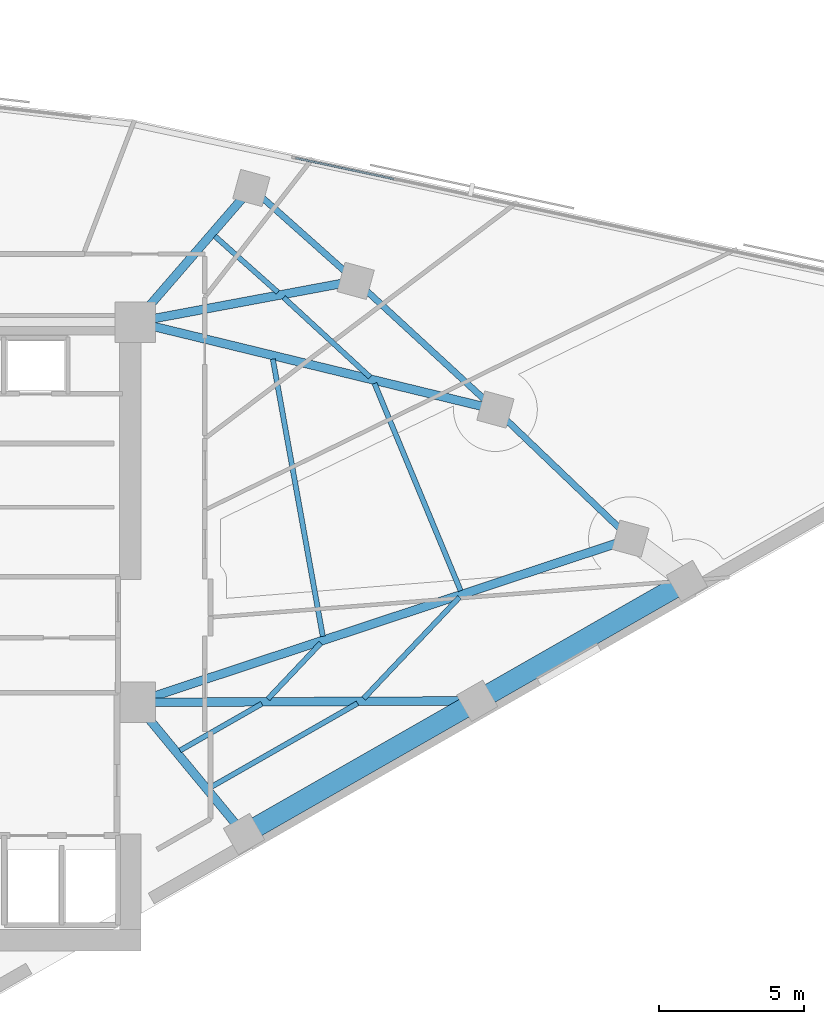
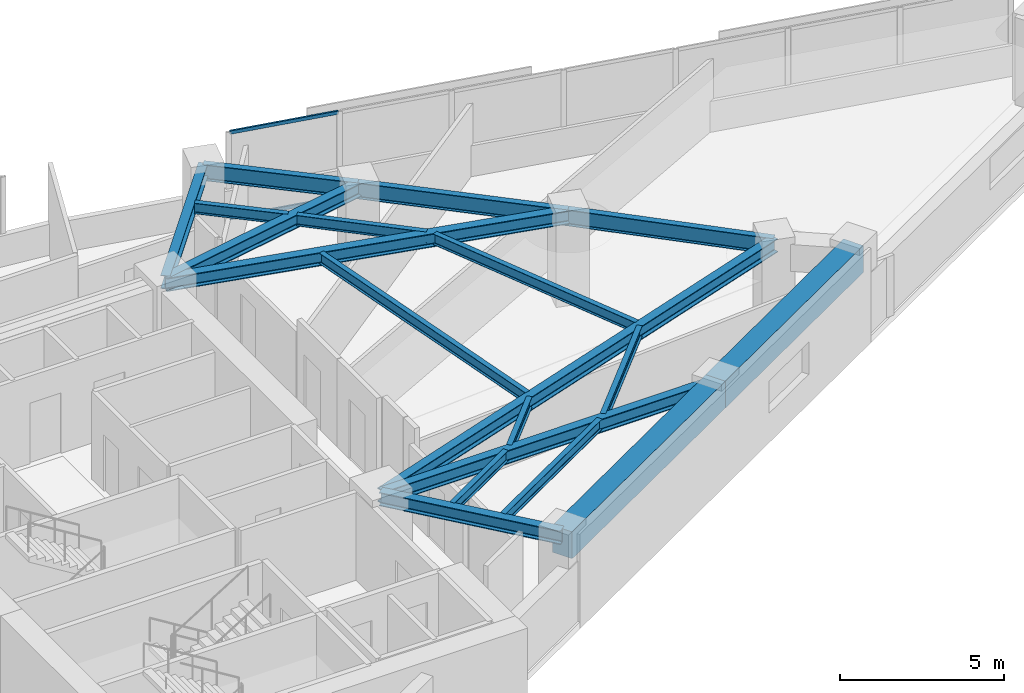
# One storey, part 3 of 14: 19 beams, 2 members, 1 element without a shape of its own.
"""IFC4 building model written with IfcOpenShell, lengths in metres."""

import ifcopenshell
import ifcopenshell.guid

model = None  # the IFC model being written
_history = None  # IfcOwnerHistory: only IFC2X3 demands one
_inside = {}  # id of a spatial element -> (the spatial element, [elements in it])
_under = {}  # id of a project, library or spatial element -> (it, [spatial elements below it])
_declared = {}  # id of a project -> (the project, [libraries it declares])
_typed = {}  # id of a type object -> (the type object, [elements of that type])
_made_of = {}  # id of a material, layer set ... -> (it, [elements and type objects made of it])


def new_model(schema):
    """Start an empty IFC model of exactly this schema.

    Asked for "IFC4X3", IfcOpenShell would pick the latest addendum, in which some entities
    have other attributes; the version numbers below select the first issue.
    IFC2X3 requires an IfcOwnerHistory on every rooted entity: one is made here for all.
    """
    global model, _history
    if schema == "IFC4X3":
        model = ifcopenshell.file(schema_version=(4, 3, 0, 0))
    else:
        model = ifcopenshell.file(schema=schema)
    _inside.clear()
    _under.clear()
    _declared.clear()
    _typed.clear()
    _made_of.clear()
    _history = None
    if model.schema == "IFC2X3":
        org = make("IfcOrganization", Name="unknown")
        user = make(
            "IfcPersonAndOrganization",
            ThePerson=make("IfcPerson", FamilyName="unknown"),
            TheOrganization=org,
        )
        app = make(
            "IfcApplication",
            ApplicationDeveloper=org,
            Version="unknown",
            ApplicationFullName="unknown",
            ApplicationIdentifier="unknown",
        )
        _history = make(
            "IfcOwnerHistory",
            OwningUser=user,
            OwningApplication=app,
            ChangeAction="ADDED",
            CreationDate=0,
        )
    return model


def make(cls, **values):
    """One entity of the class cls with the attributes given. An attribute that is None is left unset."""
    return model.create_entity(
        cls, **{name: value for name, value in values.items() if value is not None}
    )


def rooted(cls, **values):
    """An entity with a GlobalId (a new one), such as an element, a storey or a relation."""
    return make(cls, GlobalId=ifcopenshell.guid.new(), OwnerHistory=_history, **values)


def si_unit(unit_type, name, prefix=None):
    """IfcSIUnit, for example si_unit("LENGTHUNIT", "METRE", prefix="MILLI")."""
    return make("IfcSIUnit", UnitType=unit_type, Prefix=prefix, Name=name)


def assignment(units):
    """IfcUnitAssignment: the units of a project."""
    return None if units is None else make("IfcUnitAssignment", Units=units)


def point(xyz):
    """IfcCartesianPoint."""
    return None if xyz is None else make("IfcCartesianPoint", Coordinates=xyz)


def direction(xyz):
    """IfcDirection."""
    return None if xyz is None else make("IfcDirection", DirectionRatios=xyz)


def frame(location, z_axis=None, x_axis=None):
    """IfcAxis2Placement3D, a coordinate frame: its origin and axes. An axis left out is left unset."""
    return make(
        "IfcAxis2Placement3D",
        Location=point(location),
        Axis=direction(z_axis),
        RefDirection=direction(x_axis),
    )


def frame_2d(location, x_axis=None):
    """IfcAxis2Placement2D, a coordinate frame in the plane: its origin and x axis."""
    return make(
        "IfcAxis2Placement2D", Location=point(location), RefDirection=direction(x_axis)
    )


def origin():
    """The frame at (0, 0, 0) with its axes left unset."""
    return frame((0.0, 0.0, 0.0))


def origin_2d():
    """The frame at (0, 0) in the plane with its x axis left unset."""
    return frame_2d((0.0, 0.0))


def place(relative_to, where):
    """IfcLocalPlacement: puts the frame where relative to a parent placement (None: the world)."""
    return make(
        "IfcLocalPlacement", PlacementRelTo=relative_to, RelativePlacement=where
    )


def context(
    kind, dimensions, precision=None, world=None, true_north=None, identifier=None
):
    """IfcGeometricRepresentationContext, for example the 3D "Model" context."""
    return make(
        "IfcGeometricRepresentationContext",
        ContextIdentifier=identifier,
        ContextType=kind,
        CoordinateSpaceDimension=dimensions,
        Precision=precision,
        WorldCoordinateSystem=world,
        TrueNorth=true_north,
    )


def subcontext(parent, identifier, kind, view, scale=None):
    """IfcGeometricRepresentationSubContext, for example "Body" below "Model"."""
    return make(
        "IfcGeometricRepresentationSubContext",
        ContextIdentifier=identifier,
        ContextType=kind,
        ParentContext=parent,
        TargetScale=scale,
        TargetView=view,
    )


def project(units=None, contexts=None):
    """IfcProject with its units and contexts."""
    return rooted(
        "IfcProject",
        Name="project",
        RepresentationContexts=contexts,
        UnitsInContext=assignment(units),
    )


def spatial(cls, under=None, at=None, **own):
    """A site, building, storey or space (cls), placed at a placement, below another one or the project."""
    s = rooted(cls, ObjectPlacement=at, **own)
    if under is not None:
        _under.setdefault(under.id(), (under, []))[1].append(s)
    return s


def profile(cls, at=None, kind="AREA", **sizes):
    """A parametric profile (cls). Its sizes go by their IFC names, for example OverallWidth=200.0."""
    return make(cls, ProfileType=kind, Position=at, **sizes)


def rectangle(**sizes):
    """IfcRectangleProfileDef."""
    return profile("IfcRectangleProfileDef", **sizes)


def hollow_rectangle(**sizes):
    """IfcRectangleHollowProfileDef."""
    return profile("IfcRectangleHollowProfileDef", **sizes)


def i_section(**sizes):
    """IfcIShapeProfileDef."""
    return profile("IfcIShapeProfileDef", **sizes)


def extrude(swept, where, along, depth):
    """IfcExtrudedAreaSolid: the profile swept, set in the frame where, extruded along a direction by depth."""
    return make(
        "IfcExtrudedAreaSolid",
        SweptArea=swept,
        Position=where,
        ExtrudedDirection=direction(along),
        Depth=depth,
    )


def shape(context_of_items, identifier, shape_type, items):
    """IfcShapeRepresentation: the items that make up one representation, for example the "Body"."""
    return make(
        "IfcShapeRepresentation",
        ContextOfItems=context_of_items,
        RepresentationIdentifier=identifier,
        RepresentationType=shape_type,
        Items=items,
    )


def material(Name=None, Category=None):
    """IfcMaterial."""
    return make("IfcMaterial", Name=Name, Category=Category)


def material_profile(
    of_material, cross_section, Name=None, Category=None, Priority=None
):
    """IfcMaterialProfile: a cross section and its material."""
    return make(
        "IfcMaterialProfile",
        Name=Name,
        Material=of_material,
        Profile=cross_section,
        Priority=Priority,
        Category=Category,
    )


def profile_set(profiles, Name=None, composite=None):
    """IfcMaterialProfileSet."""
    return make(
        "IfcMaterialProfileSet",
        Name=Name,
        MaterialProfiles=profiles,
        CompositeProfile=composite,
    )


def made_of(thing, what):
    """Note that an element or type object is made of a material, layer set ...; save() writes the relation."""
    if what is not None:
        _made_of.setdefault(what.id(), (what, []))[1].append(thing)
    return thing


def type_object(cls, material=None, **own):
    """A type object (cls), such as IfcWallType, which elements share."""
    return made_of(rooted(cls, **own), material)


def element(
    cls,
    number,
    at=None,
    inside=None,
    cuts=None,
    type_object=None,
    material=None,
    context=None,
    identifier="Body",
    shape_type=None,
    held_by="IfcProductDefinitionShape",
    body=None,
    shapes=None,
    **own,
):
    """One element of the class cls, such as IfcWall. Its Tag is "e" and its number.

    at: its placement. inside: the storey or other place that contains it. cuts: it is an
    opening in that element (IfcRelVoidsElement). A single representation is given by context,
    identifier, shape_type and body (its items); several are given by shapes. held_by: the class
    of the entity that holds the representations. save() writes the other relations.
    """
    e = rooted(cls, Tag="e%d" % number, ObjectPlacement=at, **own)
    if body is not None:
        shapes = [shape(context, identifier, shape_type, body)]
    if shapes is not None:
        e.Representation = make(held_by, Representations=shapes)
    if inside is not None:
        _inside.setdefault(inside.id(), (inside, []))[1].append(e)
    if cuts is not None:
        rooted(
            "IfcRelVoidsElement", RelatingBuildingElement=cuts, RelatedOpeningElement=e
        )
    if type_object is not None:
        _typed.setdefault(type_object.id(), (type_object, []))[1].append(e)
    return made_of(e, material)


def aggregate(whole, parts):
    """IfcRelAggregates: a whole, such as a stair, and the parts it consists of."""
    return rooted("IfcRelAggregates", RelatingObject=whole, RelatedObjects=parts)


def save(model, path):
    """Write the relations noted so far, then the file.

    IfcRelAggregates (storeys below a building ...), IfcRelContainedInSpatialStructure (elements
    in a storey), IfcRelDefinesByType, IfcRelAssociatesMaterial and IfcRelDeclares: one each for
    every whole, place, type object, material and project.
    """
    for whole, parts in _under.values():
        aggregate(whole, parts)
    for where, things in _inside.values():
        rooted(
            "IfcRelContainedInSpatialStructure",
            RelatedElements=things,
            RelatingStructure=where,
        )
    for kind, things in _typed.values():
        rooted("IfcRelDefinesByType", RelatedObjects=things, RelatingType=kind)
    for what, things in _made_of.values():
        rooted("IfcRelAssociatesMaterial", RelatedObjects=things, RelatingMaterial=what)
    for by, libraries in _declared.values():
        rooted("IfcRelDeclares", RelatingContext=by, RelatedDefinitions=libraries)
    model.write(path)


model = new_model("IFC4")

# Units and contexts
model_context = context("Model", 3, precision=1e-05, world=origin(), true_north=direction((0.0, 1.0)))
body_context = subcontext(model_context, "Body", "Model", "MODEL_VIEW")
ifc_project = project(units=[si_unit("LENGTHUNIT", "METRE"), si_unit("AREAUNIT", "SQUARE_METRE"), si_unit("VOLUMEUNIT", "CUBIC_METRE"), si_unit("PLANEANGLEUNIT", "RADIAN"), si_unit("MASSUNIT", "GRAM", prefix="KILO")], contexts=[model_context])

# Site, building, storey
site_placement = place(None, origin())
site = spatial("IfcSite", under=ifc_project, at=site_placement, CompositionType="ELEMENT")
building_placement = place(site_placement, origin())
building = spatial("IfcBuilding", under=site, at=building_placement, Name="Narakoshi Arena Tower", CompositionType="ELEMENT")
storey_placement = place(building_placement, frame((0.0, 0.0, 211.4599609375)))
storey = spatial("IfcBuildingStorey", under=building, at=storey_placement, Name="L57", CompositionType="ELEMENT", Elevation=211.4599609375)

# Beams
ifc_material_1 = material(Name="Concrete C60/75", Category="concrete")
ifc_material_profile_1 = material_profile(ifc_material_1, rectangle(XDim=0.699951171875, YDim=1.0, at=origin_2d()), Name="RCB700x1000")
ifc_profile_set_1 = profile_set([ifc_material_profile_1], Name="Concrete C60/75")
beam_type_1 = type_object("IfcBeamType", Name="BM-CPL-1000", PredefinedType="BEAM", material=ifc_profile_set_1)
beam_1_placement = place(storey_placement, frame((89.30810546875, 38.798583984375, 2.760009765625), z_axis=(0.868201055882, 0.496212582031, 0.0), x_axis=(-0.496212582031, 0.868201055882, 0.0)))
element("IfcBeam", 1, at=beam_1_placement, inside=storey, type_object=beam_type_1, Name="L57 Perimeter Edge Girder 01", PredefinedType="BEAM", context=body_context, shape_type="SweptSolid", body=[
    extrude(rectangle(XDim=0.699951171875, YDim=1.0, at=origin_2d()), origin(), (0.0, 0.0, 1.0), 9.2822265625),
])
beam_2_placement = place(storey_placement, frame((97.366943359375, 43.404541015625, 2.760009765625), z_axis=(0.868192782093, 0.49622705803, 0.0), x_axis=(-0.49622705803, 0.868192782093, 0.0)))
element("IfcBeam", 2, at=beam_2_placement, inside=storey, type_object=beam_type_1, Name="L57 Perimeter Edge Girder 02", PredefinedType="BEAM", context=body_context, shape_type="SweptSolid", body=[
    extrude(rectangle(XDim=0.699951171875, YDim=1.0, at=origin_2d()), origin(), (0.0, 0.0, 1.0), 8.35400390625),
])
ifc_material_2 = material(Name="Structural steel S355J2", Category="steel")
ifc_material_profile_2 = material_profile(ifc_material_2, i_section(OverallWidth=0.219970703125, OverallDepth=0.60009765625, WebThickness=0.011962890625, FlangeThickness=0.01904296875, FilletRadius=0.02392578125, at=origin_2d()), Name="IPE600")
ifc_profile_set_2 = profile_set([ifc_material_profile_2], Name="Structural steel S355J2")
beam_type_2 = type_object("IfcBeamType", Name="BM-EDGE-600", PredefinedType="BEAM", material=ifc_profile_set_2)
beam_3_placement = place(storey_placement, frame((102.668701171875, 49.009521484375, 2.9599609375), z_axis=(-0.722814960544, 0.691041628858, 0.0), x_axis=(-0.691041628858, -0.722814960544, 0.0)))
element("IfcBeam", 3, at=beam_3_placement, inside=storey, type_object=beam_type_2, Name="L57 Perimeter Edge Girder 04", PredefinedType="BEAM", context=body_context, shape_type="SweptSolid", body=[
    extrude(i_section(OverallWidth=0.219970703125, OverallDepth=0.60009765625, WebThickness=0.011962890625, FlangeThickness=0.01904296875, FilletRadius=0.02392578125, at=origin_2d()), origin(), (0.0, 0.0, 1.0), 6.462158203125),
])
beam_4_placement = place(storey_placement, frame((97.997802734375, 53.47509765625, 2.9599609375), z_axis=(-0.735632357906, 0.677381010954, 0.0), x_axis=(-0.677381010954, -0.735632357906, 0.0)))
element("IfcBeam", 4, at=beam_4_placement, inside=storey, type_object=beam_type_2, Name="L57 Perimeter Edge Girder 05", PredefinedType="BEAM", context=body_context, shape_type="SweptSolid", body=[
    extrude(i_section(OverallWidth=0.219970703125, OverallDepth=0.60009765625, WebThickness=0.011962890625, FlangeThickness=0.01904296875, FilletRadius=0.02392578125, at=origin_2d()), origin(), (0.0, 0.0, 1.0), 6.567626953125),
])
beam_5_placement = place(storey_placement, frame((93.16650390625, 57.923828125, 2.9599609375), z_axis=(-0.746739302131, 0.665116842857, 0.0), x_axis=(-0.665116842857, -0.746739302131, 0.0)))
element("IfcBeam", 5, at=beam_5_placement, inside=storey, type_object=beam_type_2, Name="L57 Perimeter Edge Girder 06", PredefinedType="BEAM", context=body_context, shape_type="SweptSolid", body=[
    extrude(i_section(OverallWidth=0.219970703125, OverallDepth=0.60009765625, WebThickness=0.011962890625, FlangeThickness=0.01904296875, FilletRadius=0.02392578125, at=origin_2d()), origin(), (0.0, 0.0, 1.0), 4.82763671875),
])
ifc_material_profile_3 = material_profile(ifc_material_2, i_section(OverallWidth=0.300048828125, OverallDepth=0.5, WebThickness=0.014404296875, FlangeThickness=0.028076171875, FilletRadius=0.027099609375, at=origin_2d()), Name="HE500B")
ifc_profile_set_3 = profile_set([ifc_material_profile_3], Name="Structural steel S355J2")
beam_type_3 = type_object("IfcBeamType", Name="BM-PRI-500", PredefinedType="BEAM", material=ifc_profile_set_3)
beam_6_placement = place(storey_placement, frame((85.550048828125, 43.35009765625, 3.010009765625), z_axis=(0.63669116064, -0.771118905204, 0.0), x_axis=(0.771118905204, 0.63669116064, 0.0)))
element("IfcBeam", 6, at=beam_6_placement, inside=storey, type_object=beam_type_3, Name="L57 Radial Primary Floor Girder 01", PredefinedType="BEAM", context=body_context, shape_type="SweptSolid", body=[
    extrude(i_section(OverallWidth=0.300048828125, OverallDepth=0.5, WebThickness=0.014404296875, FlangeThickness=0.028076171875, FilletRadius=0.027099609375, at=origin_2d()), origin(), (0.0, 0.0, 1.0), 5.902587890625),
])
beam_7_placement = place(storey_placement, frame((85.550048828125, 43.35009765625, 3.010009765625), z_axis=(0.999989386804, 0.004607198737, 0.0), x_axis=(-0.004607198737, 0.999989386804, 0.0)))
element("IfcBeam", 7, at=beam_7_placement, inside=storey, type_object=beam_type_3, Name="L57 Radial Primary Floor Girder 02", PredefinedType="BEAM", context=body_context, shape_type="SweptSolid", body=[
    extrude(i_section(OverallWidth=0.300048828125, OverallDepth=0.5, WebThickness=0.014404296875, FlangeThickness=0.028076171875, FilletRadius=0.027099609375, at=origin_2d()), origin(), (0.0, 0.0, 1.0), 11.817138671875),
])
beam_8_placement = place(storey_placement, frame((85.550048828125, 43.35009765625, 3.010009765625), z_axis=(0.949459022771, 0.313891006687, 0.0), x_axis=(-0.313891006687, 0.949459022771, 0.0)))
element("IfcBeam", 8, at=beam_8_placement, inside=storey, type_object=beam_type_3, Name="L57 Radial Primary Floor Girder 04", PredefinedType="BEAM", context=body_context, shape_type="SweptSolid", body=[
    extrude(i_section(OverallWidth=0.300048828125, OverallDepth=0.5, WebThickness=0.014404296875, FlangeThickness=0.028076171875, FilletRadius=0.027099609375, at=origin_2d()), origin(), (0.0, 0.0, 1.0), 18.02978515625),
])
beam_9_placement = place(storey_placement, frame((85.550048828125, 56.5, 3.010009765625), z_axis=(0.971720101952, -0.236135646318, 0.0), x_axis=(0.236135646318, 0.971720101952, 0.0)))
element("IfcBeam", 9, at=beam_9_placement, inside=storey, type_object=beam_type_3, Name="L57 Radial Primary Floor Girder 05", PredefinedType="BEAM", context=body_context, shape_type="SweptSolid", body=[
    extrude(i_section(OverallWidth=0.300048828125, OverallDepth=0.5, WebThickness=0.014404296875, FlangeThickness=0.028076171875, FilletRadius=0.027099609375, at=origin_2d()), origin(), (0.0, 0.0, 1.0), 12.81005859375),
])
beam_10_placement = place(storey_placement, frame((85.550048828125, 56.5, 3.010009765625), z_axis=(0.982971563011, 0.183757738099, 0.0), x_axis=(-0.183757738099, 0.982971563011, 0.0)))
element("IfcBeam", 10, at=beam_10_placement, inside=storey, type_object=beam_type_3, Name="L57 Radial Primary Floor Girder 06", PredefinedType="BEAM", context=body_context, shape_type="SweptSolid", body=[
    extrude(i_section(OverallWidth=0.300048828125, OverallDepth=0.5, WebThickness=0.014404296875, FlangeThickness=0.028076171875, FilletRadius=0.027099609375, at=origin_2d()), origin(), (0.0, 0.0, 1.0), 7.748291015625),
])
beam_11_placement = place(storey_placement, frame((85.550048828125, 56.5, 3.010009765625), z_axis=(0.654434553487, 0.756118651537, 0.0), x_axis=(-0.756118651537, 0.654434553487, 0.0)))
element("IfcBeam", 11, at=beam_11_placement, inside=storey, type_object=beam_type_3, Name="L57 Radial Primary Floor Girder 07", PredefinedType="BEAM", context=body_context, shape_type="SweptSolid", body=[
    extrude(i_section(OverallWidth=0.300048828125, OverallDepth=0.5, WebThickness=0.014404296875, FlangeThickness=0.028076171875, FilletRadius=0.027099609375, at=origin_2d()), origin(), (0.0, 0.0, 1.0), 6.129638671875),
])
ifc_material_profile_4 = material_profile(ifc_material_2, i_section(OverallWidth=0.179931640625, OverallDepth=0.39990234375, WebThickness=0.008544921875, FlangeThickness=0.013427734375, FilletRadius=0.02099609375, at=origin_2d()), Name="IPE400")
ifc_profile_set_4 = profile_set([ifc_material_profile_4], Name="Structural steel S355J2")
beam_type_4 = type_object("IfcBeamType", Name="BM-SEC-400", PredefinedType="JOIST", material=ifc_profile_set_4)
beam_12_placement = place(storey_placement, frame((87.09521484375, 41.6875, 3.06005859375), z_axis=(0.868206238695, 0.496203513784, 0.0), x_axis=(-0.496203513784, 0.868206238695, 0.0)))
element("IfcBeam", 12, at=beam_12_placement, inside=storey, type_object=beam_type_4, Name="L57 Composite Secondary Floor Joist 01", PredefinedType="JOIST", context=body_context, shape_type="SweptSolid", body=[
    extrude(i_section(OverallWidth=0.179931640625, OverallDepth=0.39990234375, WebThickness=0.008544921875, FlangeThickness=0.013427734375, FilletRadius=0.02099609375, at=origin_2d()), origin(), (0.0, 0.0, 1.0), 3.257080078125),
])
beam_13_placement = place(storey_placement, frame((88.1474609375, 40.4130859375, 3.06005859375), z_axis=(0.868199526445, 0.496215258008, 0.0), x_axis=(-0.496215258008, 0.868199526445, 0.0)))
element("IfcBeam", 13, at=beam_13_placement, inside=storey, type_object=beam_type_4, Name="L57 Composite Secondary Floor Joist 02", PredefinedType="JOIST", context=body_context, shape_type="SweptSolid", body=[
    extrude(i_section(OverallWidth=0.179931640625, OverallDepth=0.39990234375, WebThickness=0.008544921875, FlangeThickness=0.013427734375, FilletRadius=0.02099609375, at=origin_2d()), origin(), (0.0, 0.0, 1.0), 5.8564453125),
])
beam_14_placement = place(storey_placement, frame((90.13330078125, 43.46875, 3.06005859375), z_axis=(0.687159296993, 0.726506779429, 0.0), x_axis=(-0.726506779429, 0.687159296993, 0.0)))
element("IfcBeam", 14, at=beam_14_placement, inside=storey, type_object=beam_type_4, Name="L57 Composite Secondary Floor Joist 03", PredefinedType="JOIST", context=body_context, shape_type="SweptSolid", body=[
    extrude(i_section(OverallWidth=0.179931640625, OverallDepth=0.39990234375, WebThickness=0.008544921875, FlangeThickness=0.013427734375, FilletRadius=0.02099609375, at=origin_2d()), origin(), (0.0, 0.0, 1.0), 2.661865234375),
])
beam_15_placement = place(storey_placement, frame((93.44189453125, 43.484130859375, 3.06005859375), z_axis=(0.687189743589, 0.726477980606, 0.0), x_axis=(-0.726477980606, 0.687189743589, 0.0)))
element("IfcBeam", 15, at=beam_15_placement, inside=storey, type_object=beam_type_4, Name="L57 Composite Secondary Floor Joist 04", PredefinedType="JOIST", context=body_context, shape_type="SweptSolid", body=[
    extrude(i_section(OverallWidth=0.179931640625, OverallDepth=0.39990234375, WebThickness=0.008544921875, FlangeThickness=0.013427734375, FilletRadius=0.02099609375, at=origin_2d()), origin(), (0.0, 0.0, 1.0), 4.822021484375),
])
beam_16_placement = place(storey_placement, frame((92.03125, 45.633544921875, 3.06005859375), z_axis=(-0.177340942745, 0.984149475449, 0.0), x_axis=(-0.984149475449, -0.177340942745, 0.0)))
element("IfcBeam", 16, at=beam_16_placement, inside=storey, type_object=beam_type_4, Name="L57 Composite Secondary Floor Joist 05", PredefinedType="JOIST", context=body_context, shape_type="SweptSolid", body=[
    extrude(i_section(OverallWidth=0.179931640625, OverallDepth=0.39990234375, WebThickness=0.008544921875, FlangeThickness=0.013427734375, FilletRadius=0.02099609375, at=origin_2d()), origin(), (0.0, 0.0, 1.0), 9.738525390625),
])
beam_17_placement = place(storey_placement, frame((96.796630859375, 47.2099609375, 3.06005859375), z_axis=(-0.38375775384, 0.923433801833, 0.0), x_axis=(-0.923433801833, -0.38375775384, 0.0)))
element("IfcBeam", 17, at=beam_17_placement, inside=storey, type_object=beam_type_4, Name="L57 Composite Secondary Floor Joist 06", PredefinedType="JOIST", context=body_context, shape_type="SweptSolid", body=[
    extrude(i_section(OverallWidth=0.179931640625, OverallDepth=0.39990234375, WebThickness=0.008544921875, FlangeThickness=0.013427734375, FilletRadius=0.02099609375, at=origin_2d()), origin(), (0.0, 0.0, 1.0), 7.763427734375),
])
beam_18_placement = place(storey_placement, frame((93.666259765625, 54.59521484375, 3.06005859375), z_axis=(-0.735666392009, 0.677344048227, 0.0), x_axis=(-0.677344048227, -0.735666392009, 0.0)))
element("IfcBeam", 18, at=beam_18_placement, inside=storey, type_object=beam_type_4, Name="L57 Composite Secondary Floor Joist 07", PredefinedType="JOIST", context=body_context, shape_type="SweptSolid", body=[
    extrude(i_section(OverallWidth=0.179931640625, OverallDepth=0.39990234375, WebThickness=0.008544921875, FlangeThickness=0.013427734375, FilletRadius=0.02099609375, at=origin_2d()), origin(), (0.0, 0.0, 1.0), 4.064697265625),
])
beam_19_placement = place(storey_placement, frame((90.47607421875, 57.529541015625, 3.06005859375), z_axis=(-0.746743762935, 0.665111834595, 0.0), x_axis=(-0.665111834595, -0.746743762935, 0.0)))
element("IfcBeam", 19, at=beam_19_placement, inside=storey, type_object=beam_type_4, Name="L57 Composite Secondary Floor Joist 08", PredefinedType="JOIST", context=body_context, shape_type="SweptSolid", body=[
    extrude(i_section(OverallWidth=0.179931640625, OverallDepth=0.39990234375, WebThickness=0.008544921875, FlangeThickness=0.013427734375, FilletRadius=0.02099609375, at=origin_2d()), origin(), (0.0, 0.0, 1.0), 2.916015625),
])

# Curtain wall, members
ifc_material_3 = material(Name="Anodised bronze aluminium 6063-T6", Category="aluminium")
curtain_wall_type = type_object("IfcCurtainWallType", Name="CW-HYP-MID", PredefinedType="NOTDEFINED", material=ifc_material_3)
curtain_wall_placement = place(storey_placement, origin())
curtain_wall = element("IfcCurtainWall", 20, at=curtain_wall_placement, inside=storey, type_object=curtain_wall_type, Name="L57 Folded Hypotenuse Curtain Wall 1-1", PredefinedType="NOTDEFINED")
ifc_material_profile_5 = material_profile(ifc_material_3, hollow_rectangle(XDim=0.06494140625, YDim=0.1298828125, WallThickness=0.00390625, OuterFilletRadius=0.0048828125, at=origin_2d()), Name="TRN130x65x4")
ifc_profile_set_5 = profile_set([ifc_material_profile_5], Name="Anodised bronze aluminium 6063-T6")
member_type = type_object("IfcMemberType", Name="MEM-TRN-130", PredefinedType="USERDEFINED", material=ifc_profile_set_5)
member_1_placement = place(storey_placement, frame((94.4892578125, 61.442138671875, 0.032470703125), z_axis=(-0.977945872942, 0.208858491797, 0.0), x_axis=(-0.208858491797, -0.977945872942, 0.0)))
member_1 = element("IfcMember", 21, at=member_1_placement, type_object=member_type, Name="CW-02 transom 7.1", ObjectType="TRANSOM", PredefinedType="USERDEFINED", context=body_context, shape_type="SweptSolid", body=[
    extrude(hollow_rectangle(XDim=0.06494140625, YDim=0.1298828125, WallThickness=0.00390625, OuterFilletRadius=0.0048828125, at=origin_2d()), origin(), (0.0, 0.0, 1.0), 3.48095703125),
])
member_2_placement = place(storey_placement, frame((94.4892578125, 61.442138671875, 3.2275390625), z_axis=(-0.977945872942, 0.208858491797, 0.0), x_axis=(-0.208858491797, -0.977945872942, 0.0)))
member_2 = element("IfcMember", 22, at=member_2_placement, type_object=member_type, Name="CW-02 transom 7.2", ObjectType="TRANSOM", PredefinedType="USERDEFINED", context=body_context, shape_type="SweptSolid", body=[
    extrude(hollow_rectangle(XDim=0.06494140625, YDim=0.1298828125, WallThickness=0.00390625, OuterFilletRadius=0.0048828125, at=origin_2d()), origin(), (0.0, 0.0, 1.0), 3.48095703125),
])
aggregate(curtain_wall, [member_1, member_2])

save(model, "model.ifc")
